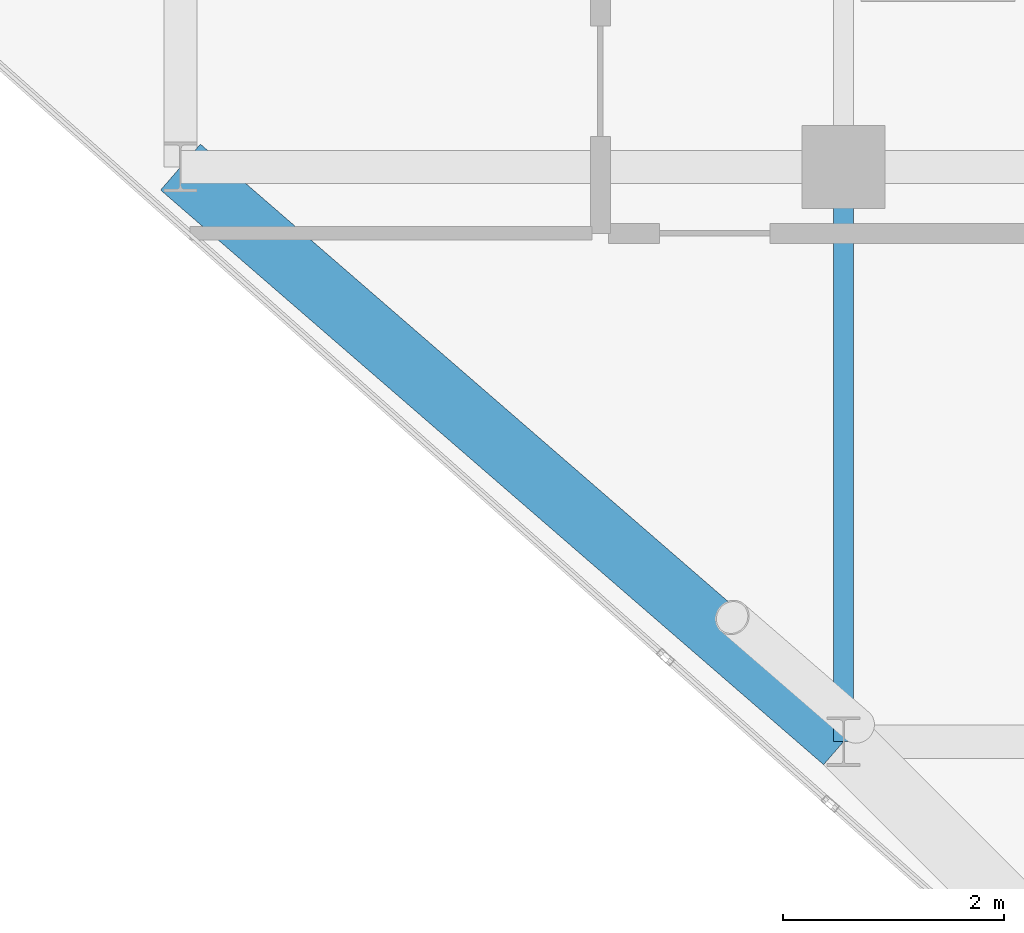
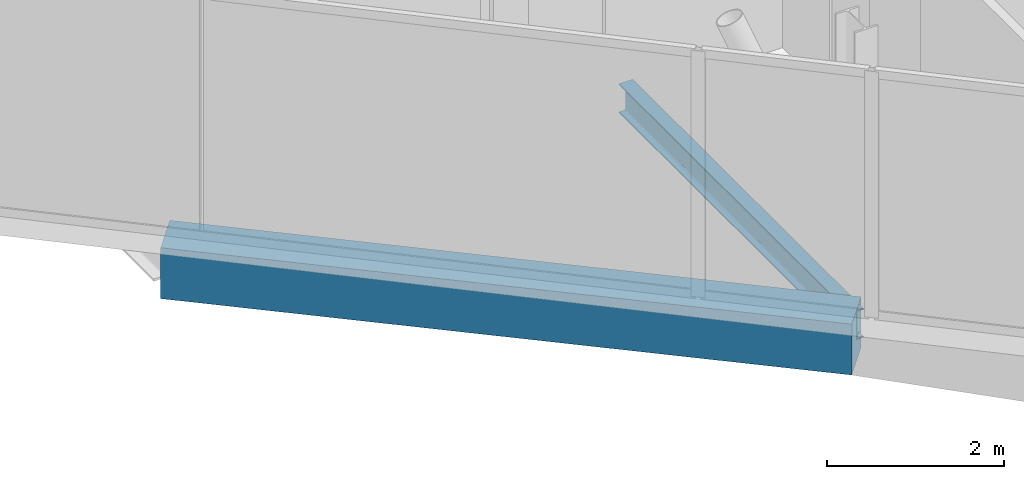
# One storey, part 5 of 29: 2 beams.
"""IFC4 building model written with IfcOpenShell, lengths in metres."""

from ifc_helpers import new_model, si_unit, direction, frame, origin, origin_2d, place, context, subcontext, project, spatial, rectangle, i_section, extrude, material, material_profile, profile_set, type_object, element, save


model = new_model("IFC4")

# Units and contexts
model_context = context("Model", 3, precision=1e-05, world=origin(), true_north=direction((0.0, 1.0)))
body_context = subcontext(model_context, "Body", "Model", "MODEL_VIEW")
ifc_project = project(units=[si_unit("LENGTHUNIT", "METRE"), si_unit("AREAUNIT", "SQUARE_METRE"), si_unit("VOLUMEUNIT", "CUBIC_METRE"), si_unit("PLANEANGLEUNIT", "RADIAN"), si_unit("MASSUNIT", "GRAM", prefix="KILO")], contexts=[model_context])

# Site, building, storey
site_placement = place(None, origin())
site = spatial("IfcSite", under=ifc_project, at=site_placement, CompositionType="ELEMENT")
building_placement = place(site_placement, origin())
building = spatial("IfcBuilding", under=site, at=building_placement, Name="Keshet Zoharim Tower", CompositionType="ELEMENT")
storey_placement = place(building_placement, frame((0.0, 0.0, 206.89990234375)))
storey = spatial("IfcBuildingStorey", under=building, at=storey_placement, Name="L51", CompositionType="ELEMENT", Elevation=206.89990234375)

# Beams
ifc_material_1 = material(Name="Steel S355", Category="steel")
ifc_material_profile_1 = material_profile(ifc_material_1, i_section(OverallWidth=0.179931640625, OverallDepth=0.39990234375, WebThickness=0.008544921875, FlangeThickness=0.013427734375, FilletRadius=0.02099609375, at=origin_2d()), Name="IPE400")
ifc_profile_set_1 = profile_set([ifc_material_profile_1], Name="Steel S355")
beam_type_1 = type_object("IfcBeamType", Name="BM-PRI-IP400", PredefinedType="BEAM", material=ifc_profile_set_1)
beam_1_placement = place(storey_placement, frame((15.0, 12.699951171875, -0.510009765625), z_axis=(0.0, 1.0, 0.0), x_axis=(-1.0, 0.0, 0.0)))
element("IfcBeam", 1, at=beam_1_placement, inside=storey, type_object=beam_type_1, Name="L51 Primary Girder Y-002", PredefinedType="BEAM", context=body_context, shape_type="SweptSolid", body=[
    extrude(i_section(OverallWidth=0.179931640625, OverallDepth=0.39990234375, WebThickness=0.008544921875, FlangeThickness=0.013427734375, FilletRadius=0.02099609375, at=origin_2d()), origin(), (0.0, 0.0, 1.0), 5.199951171875),
])
ifc_material_2 = material(Name="Concrete C50/60", Category="concrete")
ifc_material_profile_2 = material_profile(ifc_material_2, rectangle(XDim=0.550048828125, YDim=0.699951171875, at=origin_2d()), Name="RC700x550")
ifc_profile_set_2 = profile_set([ifc_material_profile_2], Name="Concrete C50/60")
beam_type_2 = type_object("IfcBeamType", Name="BM-SPN-700", PredefinedType="SPANDREL", material=ifc_profile_set_2)
beam_2_placement = place(storey_placement, frame((9.0, 17.89990234375, -0.659912109375), z_axis=(0.755692126483, -0.654927026447, 0.0), x_axis=(0.654927026447, 0.755692126483, 0.0)))
element("IfcBeam", 2, at=beam_2_placement, inside=storey, type_object=beam_type_2, Name="L51 Perimeter Spandrel Beam 02", PredefinedType="SPANDREL", context=body_context, shape_type="SweptSolid", body=[
    extrude(rectangle(XDim=0.550048828125, YDim=0.699951171875, at=origin_2d()), origin(), (0.0, 0.0, 1.0), 7.939697265625),
])

save(model, "model.ifc")
